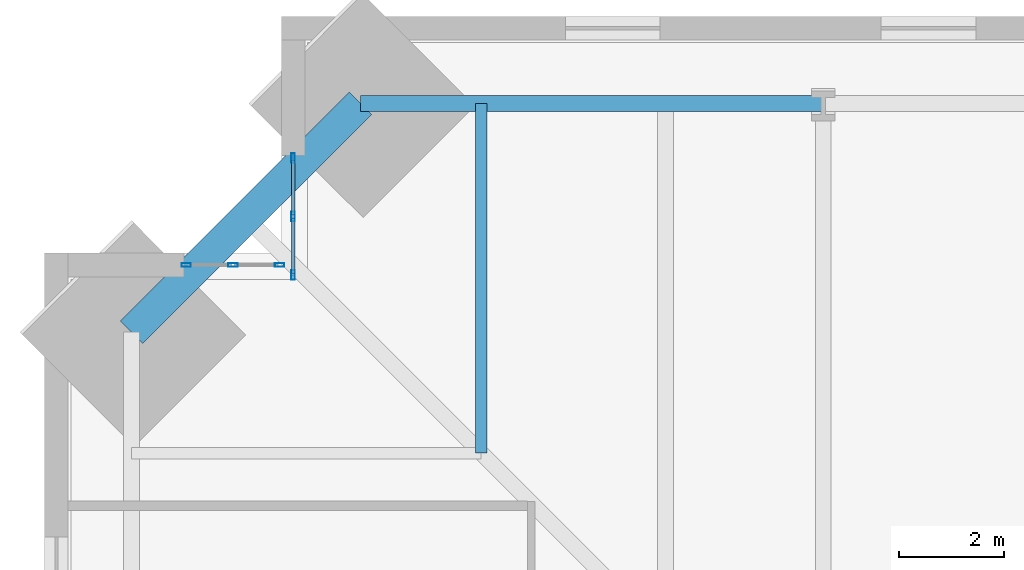
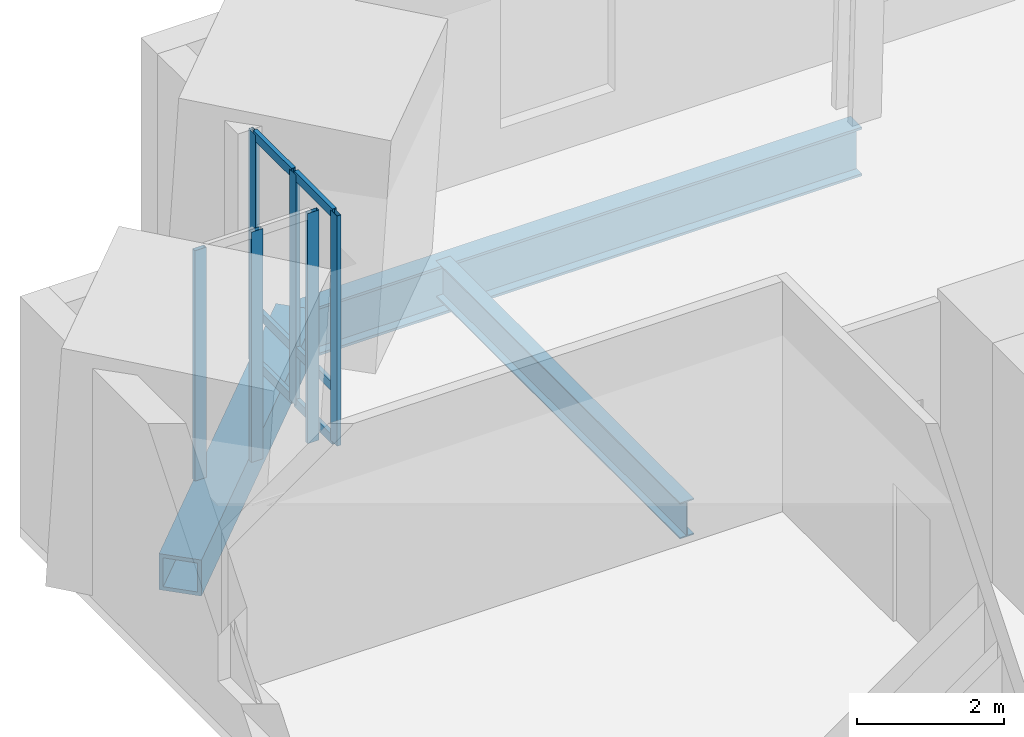
# One storey, part 6 of 15: 12 members, 3 beams, 2 elements without a shape of their own.
"""IFC4 building model written with IfcOpenShell, lengths in metres."""

from ifc_helpers import new_model, si_unit, direction, frame, origin, origin_2d, place, context, subcontext, project, spatial, hollow_rectangle, i_section, extrude, material, material_profile, profile_set, type_object, element, aggregate, save


model = new_model("IFC4")

# Units and contexts
model_context = context("Model", 3, precision=1e-05, world=origin(), true_north=direction((0.0, 1.0)))
body_context = subcontext(model_context, "Body", "Model", "MODEL_VIEW")
ifc_project = project(units=[si_unit("LENGTHUNIT", "METRE"), si_unit("AREAUNIT", "SQUARE_METRE"), si_unit("VOLUMEUNIT", "CUBIC_METRE"), si_unit("PLANEANGLEUNIT", "RADIAN"), si_unit("MASSUNIT", "GRAM", prefix="KILO")], contexts=[model_context])

# Site, building, storey
site_placement = place(None, origin())
site = spatial("IfcSite", under=ifc_project, at=site_placement, CompositionType="ELEMENT")
building_placement = place(site_placement, origin())
building = spatial("IfcBuilding", under=site, at=building_placement, Name="Peilmerk Tower", CompositionType="ELEMENT")
storey_placement = place(building_placement, frame((0.0, 0.0, 241.800048828125)))
storey = spatial("IfcBuildingStorey", under=building, at=storey_placement, Name="L53", CompositionType="ELEMENT", Elevation=241.800048828125)

# Beams
ifc_material_1 = material(Name="Steel S355", Category="steel")
ifc_material_profile_1 = material_profile(ifc_material_1, i_section(OverallWidth=0.219970703125, OverallDepth=0.60009765625, WebThickness=0.011962890625, FlangeThickness=0.01904296875, at=origin_2d()), Name="IPE 600")
ifc_profile_set_1 = profile_set([ifc_material_profile_1], Name="Steel S355")
beam_type_1 = type_object("IfcBeamType", Name="B10 IPE 600 floor beam", PredefinedType="BEAM", material=ifc_profile_set_1)
beam_1_placement = place(storey_placement, frame((-14.5, 14.5, -0.469970703125), z_axis=(0.0, 1.0, 0.0), x_axis=(-1.0, 0.0, 0.0)))
element("IfcBeam", 1, at=beam_1_placement, inside=storey, type_object=beam_type_1, Name="Floor beam L53", PredefinedType="BEAM", context=body_context, shape_type="SweptSolid", body=[
    extrude(i_section(OverallWidth=0.219970703125, OverallDepth=0.60009765625, WebThickness=0.011962890625, FlangeThickness=0.01904296875, at=origin_2d()), origin(), (0.0, 0.0, 1.0), 6.646728515625),
])
ifc_material_profile_2 = material_profile(ifc_material_1, i_section(OverallWidth=0.302978515625, OverallDepth=0.81396484375, WebThickness=0.02099609375, FlangeThickness=0.0400390625, at=origin_2d()), Name="HEM 800")
ifc_profile_set_2 = profile_set([ifc_material_profile_2], Name="Steel S355")
beam_type_2 = type_object("IfcBeamType", Name="B15 HEM 800 edge beam", PredefinedType="SPANDREL", material=ifc_profile_set_2)
beam_2_placement = place(storey_placement, frame((-8.0, 21.146728515625, -0.5771484375), z_axis=(-1.0, 0.0, 0.0), x_axis=(0.0, -1.0, 0.0)))
element("IfcBeam", 2, at=beam_2_placement, inside=storey, type_object=beam_type_2, Name="Edge beam L53", PredefinedType="SPANDREL", context=body_context, shape_type="SweptSolid", body=[
    extrude(i_section(OverallWidth=0.302978515625, OverallDepth=0.81396484375, WebThickness=0.02099609375, FlangeThickness=0.0400390625, at=origin_2d()), origin(), (0.0, 0.0, 1.0), 8.796875),
])
ifc_material_2 = material(Name="Steel S460", Category="steel")
ifc_material_profile_3 = material_profile(ifc_material_2, hollow_rectangle(XDim=0.60009765625, YDim=0.60009765625, WallThickness=0.06005859375, at=origin_2d()), Name="BOX 600x600x60")
ifc_profile_set_3 = profile_set([ifc_material_profile_3], Name="Steel S460")
beam_type_3 = type_object("IfcBeamType", Name="B20 BOX 600x600x60 notch beam", PredefinedType="SPANDREL", material=ifc_profile_set_3)
beam_3_placement = place(storey_placement, frame((-21.146728515625, 16.796875, -0.469970703125), z_axis=(0.707106781187, 0.707106781187, 0.0), x_axis=(-0.707106781187, 0.707106781187, 0.0)))
element("IfcBeam", 3, at=beam_3_placement, inside=storey, type_object=beam_type_3, Name="Notch beam L53", PredefinedType="SPANDREL", context=body_context, shape_type="SweptSolid", body=[
    extrude(hollow_rectangle(XDim=0.60009765625, YDim=0.60009765625, WallThickness=0.06005859375, at=origin_2d()), origin(), (0.0, 0.0, 1.0), 6.151611328125),
])

# Curtain wall, members
ifc_material_3 = material(Name="Aluminium stick curtain wall", Category="aluminium")
curtain_wall_type = type_object("IfcCurtainWallType", Name="CW4 stick curtain wall, 2250 module", PredefinedType="NOTDEFINED", material=ifc_material_3)
curtain_wall_1_placement = place(storey_placement, origin())
curtain_wall_1 = element("IfcCurtainWall", 4, at=curtain_wall_1_placement, inside=storey, type_object=curtain_wall_type, Name="Curtain wall CW4 NWA L53", PredefinedType="NOTDEFINED")
ifc_material_4 = material(Name="Aluminium EN AW-6063 T6", Category="aluminium")
ifc_material_profile_4 = material_profile(ifc_material_4, hollow_rectangle(XDim=0.06494140625, YDim=0.179931640625, WallThickness=0.0029296875, at=origin_2d()), Name="AL 180x65x3")
ifc_profile_set_4 = profile_set([ifc_material_profile_4], Name="Aluminium EN AW-6063 T6")
member_type_1 = type_object("IfcMemberType", Name="CW4-M AL 180x65x3 mullion", PredefinedType="MULLION", material=ifc_profile_set_4)
member_1_placement = place(storey_placement, frame((-18.074951171875, 17.882568359375, 0.0), z_axis=(0.0, 0.0, 1.0), x_axis=(-1.0, 0.0, 0.0)))
member_1 = element("IfcMember", 5, at=member_1_placement, type_object=member_type_1, Name="CW4 mullion 1", PredefinedType="MULLION", context=body_context, shape_type="SweptSolid", body=[
    extrude(hollow_rectangle(XDim=0.06494140625, YDim=0.179931640625, WallThickness=0.0029296875, at=origin_2d()), origin(), (0.0, 0.0, 1.0), 3.829833984375),
])
member_2_placement = place(storey_placement, frame((-18.074951171875, 18.994384765625, 0.0), z_axis=(0.0, 0.0, 1.0), x_axis=(-1.0, 0.0, 0.0)))
member_2 = element("IfcMember", 6, at=member_2_placement, type_object=member_type_1, Name="CW4 mullion 2", PredefinedType="MULLION", context=body_context, shape_type="SweptSolid", body=[
    extrude(hollow_rectangle(XDim=0.06494140625, YDim=0.179931640625, WallThickness=0.0029296875, at=origin_2d()), origin(), (0.0, 0.0, 1.0), 3.829833984375),
])
member_3_placement = place(storey_placement, frame((-18.074951171875, 20.106201171875, 0.0), z_axis=(0.0, 0.0, 1.0), x_axis=(-1.0, 0.0, 0.0)))
member_3 = element("IfcMember", 7, at=member_3_placement, type_object=member_type_1, Name="CW4 mullion 3", PredefinedType="MULLION", context=body_context, shape_type="SweptSolid", body=[
    extrude(hollow_rectangle(XDim=0.06494140625, YDim=0.179931640625, WallThickness=0.0029296875, at=origin_2d()), origin(), (0.0, 0.0, 1.0), 3.829833984375),
])

curtain_wall_2_placement = place(storey_placement, origin())
curtain_wall_2 = element("IfcCurtainWall", 8, at=curtain_wall_2_placement, inside=storey, type_object=curtain_wall_type, Name="Curtain wall CW4 NWB L53", PredefinedType="NOTDEFINED")
member_4_placement = place(storey_placement, frame((-18.33251953125, 18.074951171875, 0.0), z_axis=(0.0, 0.0, 1.0), x_axis=(0.0, -1.0, 0.0)))
member_4 = element("IfcMember", 9, at=member_4_placement, type_object=member_type_1, Name="CW4 mullion 1", PredefinedType="MULLION", context=body_context, shape_type="SweptSolid", body=[
    extrude(hollow_rectangle(XDim=0.06494140625, YDim=0.179931640625, WallThickness=0.0029296875, at=origin_2d()), origin(), (0.0, 0.0, 1.0), 3.829833984375),
])
member_5_placement = place(storey_placement, frame((-19.21923828125, 18.074951171875, 0.0), z_axis=(0.0, 0.0, 1.0), x_axis=(0.0, -1.0, 0.0)))
member_5 = element("IfcMember", 10, at=member_5_placement, type_object=member_type_1, Name="CW4 mullion 2", PredefinedType="MULLION", context=body_context, shape_type="SweptSolid", body=[
    extrude(hollow_rectangle(XDim=0.06494140625, YDim=0.179931640625, WallThickness=0.0029296875, at=origin_2d()), origin(), (0.0, 0.0, 1.0), 3.829833984375),
])
member_6_placement = place(storey_placement, frame((-20.106201171875, 18.074951171875, 0.0), z_axis=(0.0, 0.0, 1.0), x_axis=(0.0, -1.0, 0.0)))
member_6 = element("IfcMember", 11, at=member_6_placement, type_object=member_type_1, Name="CW4 mullion 3", PredefinedType="MULLION", context=body_context, shape_type="SweptSolid", body=[
    extrude(hollow_rectangle(XDim=0.06494140625, YDim=0.179931640625, WallThickness=0.0029296875, at=origin_2d()), origin(), (0.0, 0.0, 1.0), 3.829833984375),
])
aggregate(curtain_wall_2, [member_4, member_5, member_6])

# Member
ifc_material_profile_5 = material_profile(ifc_material_4, hollow_rectangle(XDim=0.06494140625, YDim=0.14990234375, WallThickness=0.0029296875, at=origin_2d()), Name="AL 150x65x3")
ifc_profile_set_5 = profile_set([ifc_material_profile_5], Name="Aluminium EN AW-6063 T6")
member_type_2 = type_object("IfcMemberType", Name="CW4-T AL 150x65x3 transom", PredefinedType="USERDEFINED", material=ifc_profile_set_5)
member_7_placement = place(storey_placement, frame((-18.074951171875, 17.9150390625, 0.032470703125), z_axis=(0.0, 1.0, 0.0), x_axis=(-1.0, 0.0, 0.0)))
member_7 = element("IfcMember", 12, at=member_7_placement, type_object=member_type_2, Name="CW4 transom 1.1", ObjectType="TRANSOM", PredefinedType="USERDEFINED", context=body_context, shape_type="SweptSolid", body=[
    extrude(hollow_rectangle(XDim=0.06494140625, YDim=0.14990234375, WallThickness=0.0029296875, at=origin_2d()), origin(), (0.0, 0.0, 1.0), 1.046875),
])

member_8_placement = place(storey_placement, frame((-18.074951171875, 17.9150390625, 0.89990234375), z_axis=(0.0, 1.0, 0.0), x_axis=(-1.0, 0.0, 0.0)))
member_8 = element("IfcMember", 13, at=member_8_placement, type_object=member_type_2, Name="CW4 transom 1.2", ObjectType="TRANSOM", PredefinedType="USERDEFINED", context=body_context, shape_type="SweptSolid", body=[
    extrude(hollow_rectangle(XDim=0.06494140625, YDim=0.14990234375, WallThickness=0.0029296875, at=origin_2d()), origin(), (0.0, 0.0, 1.0), 1.046875),
])

member_9_placement = place(storey_placement, frame((-18.074951171875, 17.9150390625, 3.79736328125), z_axis=(0.0, 1.0, 0.0), x_axis=(-1.0, 0.0, 0.0)))
member_9 = element("IfcMember", 14, at=member_9_placement, type_object=member_type_2, Name="CW4 transom 1.3", ObjectType="TRANSOM", PredefinedType="USERDEFINED", context=body_context, shape_type="SweptSolid", body=[
    extrude(hollow_rectangle(XDim=0.06494140625, YDim=0.14990234375, WallThickness=0.0029296875, at=origin_2d()), origin(), (0.0, 0.0, 1.0), 1.046875),
])

member_10_placement = place(storey_placement, frame((-18.074951171875, 19.02685546875, 0.032470703125), z_axis=(0.0, 1.0, 0.0), x_axis=(-1.0, 0.0, 0.0)))
member_10 = element("IfcMember", 15, at=member_10_placement, type_object=member_type_2, Name="CW4 transom 2.1", ObjectType="TRANSOM", PredefinedType="USERDEFINED", context=body_context, shape_type="SweptSolid", body=[
    extrude(hollow_rectangle(XDim=0.06494140625, YDim=0.14990234375, WallThickness=0.0029296875, at=origin_2d()), origin(), (0.0, 0.0, 1.0), 1.046875),
])

member_11_placement = place(storey_placement, frame((-18.074951171875, 19.02685546875, 0.89990234375), z_axis=(0.0, 1.0, 0.0), x_axis=(-1.0, 0.0, 0.0)))
member_11 = element("IfcMember", 16, at=member_11_placement, type_object=member_type_2, Name="CW4 transom 2.2", ObjectType="TRANSOM", PredefinedType="USERDEFINED", context=body_context, shape_type="SweptSolid", body=[
    extrude(hollow_rectangle(XDim=0.06494140625, YDim=0.14990234375, WallThickness=0.0029296875, at=origin_2d()), origin(), (0.0, 0.0, 1.0), 1.046875),
])

member_12_placement = place(storey_placement, frame((-18.074951171875, 19.02685546875, 3.79736328125), z_axis=(0.0, 1.0, 0.0), x_axis=(-1.0, 0.0, 0.0)))
member_12 = element("IfcMember", 17, at=member_12_placement, type_object=member_type_2, Name="CW4 transom 2.3", ObjectType="TRANSOM", PredefinedType="USERDEFINED", context=body_context, shape_type="SweptSolid", body=[
    extrude(hollow_rectangle(XDim=0.06494140625, YDim=0.14990234375, WallThickness=0.0029296875, at=origin_2d()), origin(), (0.0, 0.0, 1.0), 1.046875),
])

aggregate(curtain_wall_1, [member_1, member_2, member_3, member_7, member_8, member_9, member_10, member_11, member_12])

save(model, "model.ifc")
